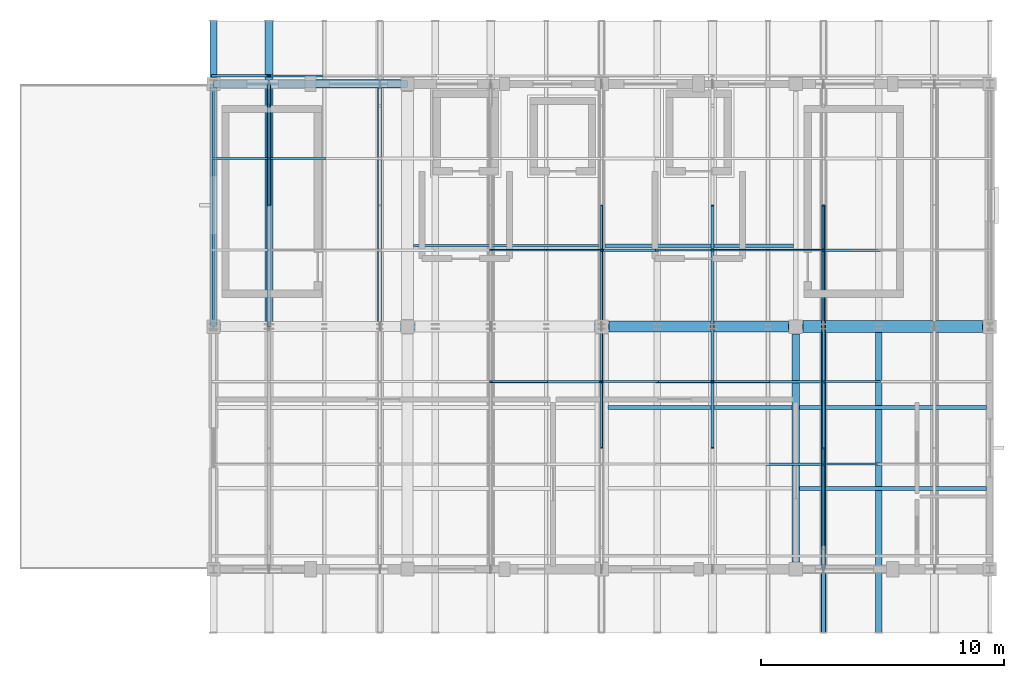
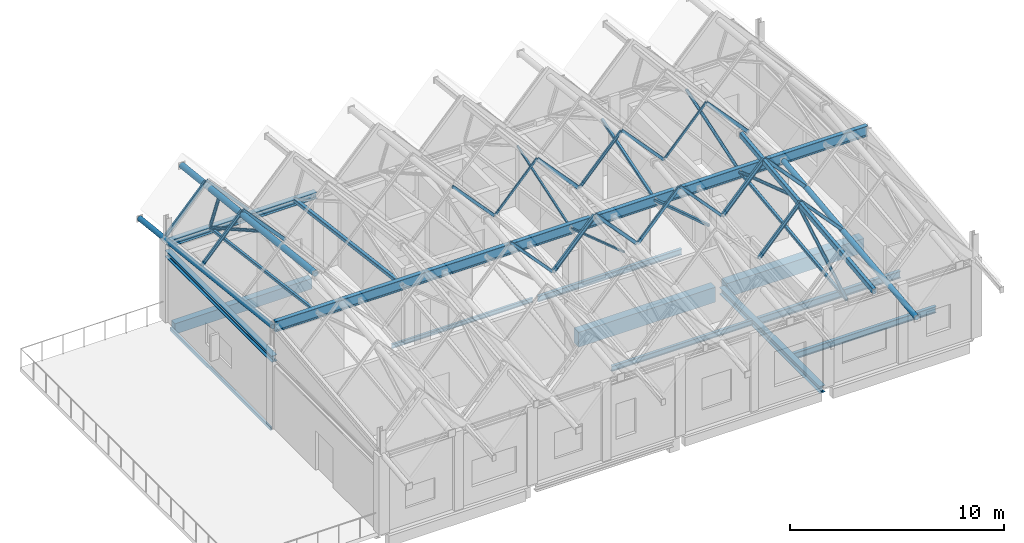
# One storey, part 3 of 15: 32 members, 17 beams.
"""IFC4 building model written with IfcOpenShell, lengths in metres."""

from ifc_helpers import new_model, si_unit, direction, frame, origin, origin_2d, place, context, subcontext, project, spatial, rectangle, hollow_rectangle, hollow_circle, i_section, extrude, material, material_profile, profile_set, type_object, element, save


model = new_model("IFC4")

# Units and contexts
model_context = context("Model", 3, precision=1e-05, world=origin(), true_north=direction((0.0, 1.0)))
body_context = subcontext(model_context, "Body", "Model", "MODEL_VIEW")
ifc_project = project(units=[si_unit("LENGTHUNIT", "METRE"), si_unit("AREAUNIT", "SQUARE_METRE"), si_unit("VOLUMEUNIT", "CUBIC_METRE"), si_unit("PLANEANGLEUNIT", "RADIAN"), si_unit("MASSUNIT", "GRAM", prefix="KILO")], contexts=[model_context])

# Site, building, storey
site_placement = place(None, origin())
site = spatial("IfcSite", under=ifc_project, at=site_placement, CompositionType="ELEMENT")
building_placement = place(site_placement, origin())
building = spatial("IfcBuilding", under=site, at=building_placement, Name="Luwemba Playhouse", CompositionType="ELEMENT")
storey_placement = place(building_placement, frame((0.0, 0.0, 22.800048828125)))
storey = spatial("IfcBuildingStorey", under=building, at=storey_placement, Name="L05", CompositionType="ELEMENT", Elevation=22.800048828125)

# Beams
ifc_material_1 = material(Name="Concrete C40/50", Category="concrete")
ifc_material_profile_1 = material_profile(ifc_material_1, rectangle(XDim=0.449951171875, YDim=0.85009765625, at=origin_2d()))
ifc_profile_set_1 = profile_set([ifc_material_profile_1], Name="Concrete C40/50")
beam_type_1 = type_object("IfcBeamType", Name="BM-RB05", PredefinedType="BEAM", material=ifc_profile_set_1)
beam_1_placement = place(storey_placement, frame((156.300048828125, 105.0, -0.72509765625), z_axis=(1.0, 0.0, 0.0), x_axis=(0.0, 1.0, 0.0)))
element("IfcBeam", 1, at=beam_1_placement, inside=storey, type_object=beam_type_1, Name="L05 grid girder 0948", PredefinedType="BEAM", context=body_context, shape_type="SweptSolid", body=[
    extrude(rectangle(XDim=0.449951171875, YDim=0.85009765625, at=origin_2d()), origin(), (0.0, 0.0, 1.0), 7.39990234375),
])
ifc_material_profile_2 = material_profile(ifc_material_1, rectangle(XDim=0.5, YDim=0.800048828125, at=origin_2d()))
ifc_profile_set_2 = profile_set([ifc_material_profile_2], Name="Concrete C40/50")
beam_type_2 = type_object("IfcBeamType", Name="BM-RB06", PredefinedType="BEAM", material=ifc_profile_set_2)
beam_2_placement = place(storey_placement, frame((164.300048828125, 105.0, -0.699951171875), z_axis=(1.0, 0.0, 0.0), x_axis=(0.0, 1.0, 0.0)))
element("IfcBeam", 2, at=beam_2_placement, inside=storey, type_object=beam_type_2, Name="L05 grid girder 0949", PredefinedType="BEAM", context=body_context, shape_type="SweptSolid", body=[
    extrude(rectangle(XDim=0.5, YDim=0.800048828125, at=origin_2d()), origin(), (0.0, 0.0, 1.0), 7.39990234375),
])
ifc_material_2 = material(Name="Steel S355", Category="steel")
ifc_material_profile_3 = material_profile(ifc_material_2, hollow_rectangle(XDim=0.199951171875, YDim=0.300048828125, WallThickness=0.012451171875, InnerFilletRadius=0.018798828125, OuterFilletRadius=0.03125, at=origin_2d()))
ifc_profile_set_3 = profile_set([ifc_material_profile_3], Name="Steel S355")
beam_type_3 = type_object("IfcBeamType", Name="BM-RTG2", PredefinedType="USERDEFINED", material=ifc_profile_set_3)
beam_3_placement = place(storey_placement, frame((165.142822265625, 92.39990234375, 6.448486328125), z_axis=(0.0, 0.993768782613, 0.111461234087), x_axis=(-1.0, 0.0, 0.0)))
element("IfcBeam", 3, at=beam_3_placement, inside=storey, type_object=beam_type_3, Name="ROOF TRUSS ridge girder 0432", ObjectType="ROOF TRUSS", PredefinedType="USERDEFINED", context=body_context, shape_type="SweptSolid", body=[
    extrude(hollow_rectangle(XDim=0.199951171875, YDim=0.300048828125, WallThickness=0.012451171875, InnerFilletRadius=0.018798828125, OuterFilletRadius=0.03125, at=origin_2d()), origin(), (0.0, 0.0, 1.0), 12.568359375),
])
ifc_material_profile_4 = material_profile(ifc_material_2, hollow_circle(Radius=0.136474609375, WallThickness=0.012451171875, at=origin_2d()))
ifc_profile_set_4 = profile_set([ifc_material_profile_4], Name="Steel S355")
beam_type_4 = type_object("IfcBeamType", Name="BM-RTG3", PredefinedType="USERDEFINED", material=ifc_profile_set_4)
for number, where, z_axis, x_axis, name in (
    (4, (140.0, 105.110107421875, 5.546630859375), (0.0, 0.993766630778, -0.111480417796), (-1.0, 0.0, 0.0), "ROOF TRUSS valley girder 0411"),
    (5, (167.4287109375, 92.39990234375, 4.1455078125), (0.0, 0.993766630778, 0.111480417796), (-1.0, 0.0, 0.0), "ROOF TRUSS valley girder 0434"),
):
    element("IfcBeam", number, at=place(storey_placement, frame(where, z_axis=z_axis, x_axis=x_axis)), inside=storey, type_object=beam_type_4, Name=name, ObjectType="ROOF TRUSS", PredefinedType="USERDEFINED", context=body_context, shape_type="SweptSolid", body=[
        extrude(hollow_circle(Radius=0.136474609375, WallThickness=0.012451171875, at=origin_2d()), origin(), (0.0, 0.0, 1.0), 12.568359375),
    ])
ifc_material_profile_5 = material_profile(ifc_material_2, hollow_circle(Radius=0.161865234375, WallThickness=0.01611328125, at=origin_2d()))
ifc_profile_set_5 = profile_set([ifc_material_profile_5], Name="Steel S355")
beam_type_5 = type_object("IfcBeamType", Name="BM-RTG4", PredefinedType="USERDEFINED", material=ifc_profile_set_5)
beam_4_placement = place(storey_placement, frame((142.28564453125, 105.110107421875, 7.7705078125), z_axis=(0.0, 0.993766630778, -0.111480417796), x_axis=(-1.0, 0.0, 0.0)))
element("IfcBeam", 6, at=beam_4_placement, inside=storey, type_object=beam_type_5, Name="ROOF TRUSS ridge girder 0413", ObjectType="ROOF TRUSS", PredefinedType="USERDEFINED", context=body_context, shape_type="SweptSolid", body=[
    extrude(hollow_circle(Radius=0.161865234375, WallThickness=0.01611328125, at=origin_2d()), origin(), (0.0, 0.0, 1.0), 12.568359375),
])
ifc_material_profile_6 = material_profile(ifc_material_2, i_section(OverallWidth=0.300048828125, OverallDepth=0.389892578125, WebThickness=0.010986328125, FlangeThickness=0.01904296875, FilletRadius=0.027099609375, at=origin_2d()))
ifc_profile_set_6 = profile_set([ifc_material_profile_6], Name="Steel S355")
beam_type_6 = type_object("IfcBeamType", Name="BM-SB05", PredefinedType="BEAM", material=ifc_profile_set_6)
beam_5_placement = place(storey_placement, frame((164.0, 95.300048828125, -0.4951171875), z_axis=(0.0, 1.0, 0.0), x_axis=(-1.0, 0.0, 0.0)))
element("IfcBeam", 7, at=beam_5_placement, inside=storey, type_object=beam_type_6, Name="L05 transverse girder 0960", PredefinedType="BEAM", context=body_context, shape_type="SweptSolid", body=[
    extrude(i_section(OverallWidth=0.300048828125, OverallDepth=0.389892578125, WebThickness=0.010986328125, FlangeThickness=0.01904296875, FilletRadius=0.027099609375, at=origin_2d()), origin(), (0.0, 0.0, 1.0), 9.39990234375),
])
ifc_material_profile_7 = material_profile(ifc_material_2, i_section(OverallWidth=0.219970703125, OverallDepth=0.60009765625, WebThickness=0.011962890625, FlangeThickness=0.01904296875, FilletRadius=0.02392578125, at=origin_2d()))
ifc_profile_set_7 = profile_set([ifc_material_profile_7], Name="Steel S355")
beam_type_7 = type_object("IfcBeamType", Name="BM-SB08", PredefinedType="BEAM", material=ifc_profile_set_7)
beam_6_placement = place(storey_placement, frame((140.0, 105.0, 5.6416015625), z_axis=(1.0, 0.0, 0.0), x_axis=(0.0, 1.0, 0.0)))
element("IfcBeam", 8, at=beam_6_placement, inside=storey, type_object=beam_type_7, Name="RF-V6E central ridge spine girder 0409", PredefinedType="BEAM", context=body_context, shape_type="SweptSolid", body=[
    extrude(i_section(OverallWidth=0.219970703125, OverallDepth=0.60009765625, WebThickness=0.011962890625, FlangeThickness=0.01904296875, FilletRadius=0.02392578125, at=origin_2d()), origin(), (0.0, 0.0, 1.0), 32.0),
])
ifc_material_profile_8 = material_profile(ifc_material_2, i_section(OverallWidth=0.300048828125, OverallDepth=0.360107421875, WebThickness=0.012451171875, FlangeThickness=0.0224609375, FilletRadius=0.027099609375, at=origin_2d()))
ifc_profile_set_8 = profile_set([ifc_material_profile_8], Name="Steel S355")
beam_type_8 = type_object("IfcBeamType", Name="BM-SB09", PredefinedType="BEAM", material=ifc_profile_set_8)
beam_7_placement = place(storey_placement, frame((140.0, 115.0, 4.320068359375), z_axis=(1.0, 0.0, 0.0), x_axis=(0.0, 1.0, 0.0)))
element("IfcBeam", 9, at=beam_7_placement, inside=storey, type_object=beam_type_8, Name="RF-V6E eave ring beam 0399", PredefinedType="BEAM", context=body_context, shape_type="SweptSolid", body=[
    extrude(i_section(OverallWidth=0.300048828125, OverallDepth=0.360107421875, WebThickness=0.012451171875, FlangeThickness=0.0224609375, FilletRadius=0.027099609375, at=origin_2d()), origin(), (0.0, 0.0, 1.0), 8.0),
])
beam_8_placement = place(storey_placement, frame((140.0, 105.0, 3.780029296875), z_axis=(0.0, 1.0, 0.0), x_axis=(-1.0, 0.0, 0.0)))
element("IfcBeam", 10, at=beam_8_placement, inside=storey, type_object=beam_type_8, Name="RF-V6E gable ring beam 0404", PredefinedType="BEAM", context=body_context, shape_type="SweptSolid", body=[
    extrude(i_section(OverallWidth=0.300048828125, OverallDepth=0.360107421875, WebThickness=0.012451171875, FlangeThickness=0.0224609375, FilletRadius=0.027099609375, at=origin_2d()), origin(), (0.0, 0.0, 1.0), 10.0),
])
ifc_material_profile_9 = material_profile(ifc_material_2, i_section(OverallWidth=0.1201171875, OverallDepth=0.239990234375, WebThickness=0.006103515625, FlangeThickness=0.009765625, FilletRadius=0.014892578125, at=origin_2d()))
ifc_profile_set_9 = profile_set([ifc_material_profile_9], Name="Steel S355")
beam_type_9 = type_object("IfcBeamType", Name="BM-SJ03", PredefinedType="JOIST", material=ifc_profile_set_9)
beam_9_placement = place(storey_placement, frame((148.24609375, 108.333251953125, -0.420166015625), z_axis=(1.0, 0.0, 0.0), x_axis=(0.0, 1.0, 0.0)))
element("IfcBeam", 11, at=beam_9_placement, inside=storey, type_object=beam_type_9, Name="L05 composite floor joist 0540", PredefinedType="JOIST", context=body_context, shape_type="SweptSolid", body=[
    extrude(i_section(OverallWidth=0.1201171875, OverallDepth=0.239990234375, WebThickness=0.006103515625, FlangeThickness=0.009765625, FilletRadius=0.014892578125, at=origin_2d()), origin(), (0.0, 0.0, 1.0), 7.617919921875),
])
ifc_material_profile_10 = material_profile(ifc_material_2, i_section(OverallWidth=0.14990234375, OverallDepth=0.300048828125, WebThickness=0.007080078125, FlangeThickness=0.0107421875, FilletRadius=0.014892578125, at=origin_2d()))
ifc_profile_set_10 = profile_set([ifc_material_profile_10], Name="Steel S355")
beam_type_10 = type_object("IfcBeamType", Name="BM-SJ05", PredefinedType="JOIST", material=ifc_profile_set_10)
beam_10_placement = place(storey_placement, frame((156.27099609375, 101.666748046875, -0.449951171875), z_axis=(1.0, 0.0, 0.0), x_axis=(0.0, 1.0, 0.0)))
element("IfcBeam", 12, at=beam_10_placement, inside=storey, type_object=beam_type_10, Name="L05 composite floor joist 0542", PredefinedType="JOIST", context=body_context, shape_type="SweptSolid", body=[
    extrude(i_section(OverallWidth=0.14990234375, OverallDepth=0.300048828125, WebThickness=0.007080078125, FlangeThickness=0.0107421875, FilletRadius=0.014892578125, at=origin_2d()), origin(), (0.0, 0.0, 1.0), 7.5830078125),
])
ifc_material_profile_11 = material_profile(ifc_material_2, i_section(OverallWidth=0.159912109375, OverallDepth=0.330078125, WebThickness=0.007568359375, FlangeThickness=0.011474609375, FilletRadius=0.01806640625, at=origin_2d()))
ifc_profile_set_11 = profile_set([ifc_material_profile_11], Name="Steel S355")
beam_type_11 = type_object("IfcBeamType", Name="BM-SJ06", PredefinedType="JOIST", material=ifc_profile_set_11)
beam_11_placement = place(storey_placement, frame((156.135986328125, 108.333251953125, -0.465087890625), z_axis=(1.0, 0.0, 0.0), x_axis=(0.0, 1.0, 0.0)))
element("IfcBeam", 13, at=beam_11_placement, inside=storey, type_object=beam_type_11, Name="L05 composite floor joist 0543", PredefinedType="JOIST", context=body_context, shape_type="SweptSolid", body=[
    extrude(i_section(OverallWidth=0.159912109375, OverallDepth=0.330078125, WebThickness=0.007568359375, FlangeThickness=0.011474609375, FilletRadius=0.01806640625, at=origin_2d()), origin(), (0.0, 0.0, 1.0), 7.77294921875),
])
ifc_material_profile_12 = material_profile(ifc_material_2, i_section(OverallWidth=0.169921875, OverallDepth=0.360107421875, WebThickness=0.008056640625, FlangeThickness=0.0126953125, FilletRadius=0.01806640625, at=origin_2d()))
ifc_profile_set_12 = profile_set([ifc_material_profile_12], Name="Steel S355")
beam_type_12 = type_object("IfcBeamType", Name="BM-SJ07", PredefinedType="JOIST", material=ifc_profile_set_12)
beam_12_placement = place(storey_placement, frame((164.14599609375, 98.333251953125, -0.47998046875), z_axis=(1.0, 0.0, 0.0), x_axis=(0.0, 1.0, 0.0)))
element("IfcBeam", 14, at=beam_12_placement, inside=storey, type_object=beam_type_12, Name="L05 composite floor joist 0544", PredefinedType="JOIST", context=body_context, shape_type="SweptSolid", body=[
    extrude(i_section(OverallWidth=0.169921875, OverallDepth=0.360107421875, WebThickness=0.008056640625, FlangeThickness=0.0126953125, FilletRadius=0.01806640625, at=origin_2d()), origin(), (0.0, 0.0, 1.0), 7.7080078125),
])
ifc_material_profile_13 = material_profile(ifc_material_2, i_section(OverallWidth=0.179931640625, OverallDepth=0.39990234375, WebThickness=0.008544921875, FlangeThickness=0.013427734375, FilletRadius=0.02099609375, at=origin_2d()))
ifc_profile_set_13 = profile_set([ifc_material_profile_13], Name="Steel S355")
beam_type_13 = type_object("IfcBeamType", Name="BM-SJ08", PredefinedType="JOIST", material=ifc_profile_set_13)
beam_13_placement = place(storey_placement, frame((164.14599609375, 101.666748046875, -0.5), z_axis=(1.0, 0.0, 0.0), x_axis=(0.0, 1.0, 0.0)))
element("IfcBeam", 15, at=beam_13_placement, inside=storey, type_object=beam_type_13, Name="L05 composite floor joist 0545", PredefinedType="JOIST", context=body_context, shape_type="SweptSolid", body=[
    extrude(i_section(OverallWidth=0.179931640625, OverallDepth=0.39990234375, WebThickness=0.008544921875, FlangeThickness=0.013427734375, FilletRadius=0.02099609375, at=origin_2d()), origin(), (0.0, 0.0, 1.0), 7.7080078125),
])
ifc_material_profile_14 = material_profile(ifc_material_1, rectangle(XDim=0.35009765625, YDim=0.60009765625, at=origin_2d()))
ifc_profile_set_14 = profile_set([ifc_material_profile_14], Name="Concrete C40/50")
beam_type_14 = type_object("IfcBeamType", Name="BM-SP3", PredefinedType="SPANDREL", material=ifc_profile_set_14)
beam_14_placement = place(storey_placement, frame((140.300048828125, 115.0, -0.60009765625), z_axis=(1.0, 0.0, 0.0), x_axis=(0.0, 1.0, 0.0)))
element("IfcBeam", 16, at=beam_14_placement, inside=storey, type_object=beam_type_14, Name="L05 grid girder 0950", PredefinedType="SPANDREL", context=body_context, shape_type="SweptSolid", body=[
    extrude(rectangle(XDim=0.35009765625, YDim=0.60009765625, at=origin_2d()), origin(), (0.0, 0.0, 1.0), 7.39990234375),
])
ifc_material_profile_15 = material_profile(ifc_material_2, hollow_rectangle(XDim=0.10009765625, YDim=0.199951171875, WallThickness=0.008056640625, InnerFilletRadius=0.011962890625, OuterFilletRadius=0.02001953125, at=origin_2d()))
ifc_profile_set_15 = profile_set([ifc_material_profile_15], Name="Steel S355")
beam_type_15 = type_object("IfcBeamType", Name="BM-SSP2", PredefinedType="SPANDREL", material=ifc_profile_set_15)
beam_15_placement = place(storey_placement, frame((140.0, 105.300048828125, -0.400146484375), z_axis=(0.0, 1.0, 0.0), x_axis=(-1.0, 0.0, 0.0)))
element("IfcBeam", 17, at=beam_15_placement, inside=storey, type_object=beam_type_15, Name="L05 transverse girder 0955", PredefinedType="SPANDREL", context=body_context, shape_type="SweptSolid", body=[
    extrude(hollow_rectangle(XDim=0.10009765625, YDim=0.199951171875, WallThickness=0.008056640625, InnerFilletRadius=0.011962890625, OuterFilletRadius=0.02001953125, at=origin_2d()), origin(), (0.0, 0.0, 1.0), 9.39990234375),
])

# Members
ifc_material_profile_16 = material_profile(ifc_material_2, hollow_circle(Radius=0.084228515625, WallThickness=0.008056640625, at=origin_2d()))
ifc_profile_set_16 = profile_set([ifc_material_profile_16], Name="Steel S355")
member_type_1 = type_object("IfcMemberType", Name="MEM-MB02", PredefinedType="BRACE", material=ifc_profile_set_16)
member_1_placement = place(storey_placement, frame((142.28564453125, 115.0, 4.39990234375), z_axis=(0.0, -0.870865998229, 0.491520511403), x_axis=(1.0, 0.0, 0.0)))
element("IfcMember", 18, at=member_1_placement, inside=storey, type_object=member_type_1, Name="ROOF TRUSS web diagonal 0354", PredefinedType="BRACE", context=body_context, shape_type="SweptSolid", body=[
    extrude(hollow_circle(Radius=0.084228515625, WallThickness=0.008056640625, at=origin_2d()), origin(), (0.0, 0.0, 1.0), 5.741455078125),
])
member_2_placement = place(storey_placement, frame((142.28564453125, 115.0, 4.39990234375), z_axis=(0.0, -0.356019426391, 0.934478554078), x_axis=(1.0, 0.0, 0.0)))
element("IfcMember", 19, at=member_2_placement, inside=storey, type_object=member_type_1, Name="ROOF TRUSS eave knee strut 0101", PredefinedType="BRACE", context=body_context, shape_type="SweptSolid", body=[
    extrude(hollow_circle(Radius=0.084228515625, WallThickness=0.008056640625, at=origin_2d()), origin(), (0.0, 0.0, 1.0), 2.527587890625),
])
member_3_placement = place(storey_placement, frame((165.142822265625, 95.0, 4.39990234375), z_axis=(0.0, 0.864946861272, 0.501863454712), x_axis=(-1.0, 0.0, 0.0)))
element("IfcMember", 20, at=member_3_placement, inside=storey, type_object=member_type_1, Name="ROOF TRUSS web diagonal 0381", PredefinedType="BRACE", context=body_context, shape_type="SweptSolid", body=[
    extrude(hollow_circle(Radius=0.084228515625, WallThickness=0.008056640625, at=origin_2d()), origin(), (0.0, 0.0, 1.0), 5.78076171875),
])
for number, where, z_axis, x_axis, name in (
    (21, (165.142822265625, 105.0, 5.6416015625), (0.0, -0.949094939614, 0.31499015159), (1.0, 0.0, 0.0), "ROOF TRUSS web diagonal 0382"),
    (22, (165.142822265625, 105.0, 5.6416015625), (0.0, 0.949094939614, 0.31499015159), (-1.0, 0.0, 0.0), "ROOF TRUSS web diagonal 0383"),
):
    element("IfcMember", number, at=place(storey_placement, frame(where, z_axis=z_axis, x_axis=x_axis)), inside=storey, type_object=member_type_1, Name=name, PredefinedType="BRACE", context=body_context, shape_type="SweptSolid", body=[
        extrude(hollow_circle(Radius=0.084228515625, WallThickness=0.008056640625, at=origin_2d()), origin(), (0.0, 0.0, 1.0), 5.26806640625),
    ])
ifc_material_profile_17 = material_profile(ifc_material_2, hollow_rectangle(XDim=0.10009765625, YDim=0.10009765625, WallThickness=0.00634765625, InnerFilletRadius=0.009521484375, OuterFilletRadius=0.015869140625, at=origin_2d()))
ifc_profile_set_17 = profile_set([ifc_material_profile_17], Name="Steel S355")
member_type_2 = type_object("IfcMemberType", Name="MEM-MB05", PredefinedType="BRACE", material=ifc_profile_set_17)
for number, where, z_axis, x_axis, name in (
    (23, (156.0, 105.0, 5.6416015625), (0.0, -0.949094939614, 0.31499015159), (1.0, 0.0, 0.0), "ROOF TRUSS web diagonal 0370"),
    (24, (156.0, 105.0, 5.6416015625), (0.0, 0.949094939614, 0.31499015159), (-1.0, 0.0, 0.0), "ROOF TRUSS web diagonal 0371"),
):
    element("IfcMember", number, at=place(storey_placement, frame(where, z_axis=z_axis, x_axis=x_axis)), inside=storey, type_object=member_type_2, Name=name, PredefinedType="BRACE", context=body_context, shape_type="SweptSolid", body=[
        extrude(hollow_rectangle(XDim=0.10009765625, YDim=0.10009765625, WallThickness=0.00634765625, InnerFilletRadius=0.009521484375, OuterFilletRadius=0.015869140625, at=origin_2d()), origin(), (0.0, 0.0, 1.0), 5.26806640625),
    ])
ifc_material_profile_18 = material_profile(ifc_material_2, hollow_rectangle(XDim=0.139892578125, YDim=0.139892578125, WallThickness=0.008056640625, InnerFilletRadius=0.011962890625, OuterFilletRadius=0.02001953125, at=origin_2d()))
ifc_profile_set_18 = profile_set([ifc_material_profile_18], Name="Steel S355")
member_type_3 = type_object("IfcMemberType", Name="MEM-MB07", PredefinedType="BRACE", material=ifc_profile_set_18)
for number, where, z_axis, x_axis, name in (
    (25, (160.5712890625, 105.0, 5.6416015625), (0.0, -0.953507345101, 0.30136977758), (1.0, 0.0, 0.0), "ROOF TRUSS web diagonal 0376"),
    (26, (160.5712890625, 105.0, 5.6416015625), (0.0, 0.953507345101, 0.30136977758), (-1.0, 0.0, 0.0), "ROOF TRUSS web diagonal 0377"),
):
    element("IfcMember", number, at=place(storey_placement, frame(where, z_axis=z_axis, x_axis=x_axis)), inside=storey, type_object=member_type_3, Name=name, PredefinedType="BRACE", context=body_context, shape_type="SweptSolid", body=[
        extrude(hollow_rectangle(XDim=0.139892578125, YDim=0.139892578125, WallThickness=0.008056640625, InnerFilletRadius=0.011962890625, OuterFilletRadius=0.02001953125, at=origin_2d()), origin(), (0.0, 0.0, 1.0), 5.243896484375),
    ])
ifc_material_profile_19 = material_profile(ifc_material_2, hollow_rectangle(XDim=0.14990234375, YDim=0.14990234375, WallThickness=0.010009765625, InnerFilletRadius=0.014892578125, OuterFilletRadius=0.02490234375, at=origin_2d()))
ifc_profile_set_19 = profile_set([ifc_material_profile_19], Name="Steel S355")
member_type_4 = type_object("IfcMemberType", Name="MEM-MC02", PredefinedType="CHORD", material=ifc_profile_set_19)
for number, where, z_axis, x_axis, name in (
    (27, (142.28564453125, 105.0, 5.6416015625), (0.0, 0.992378930096, -0.12322361422), (-1.0, 0.0, 0.0), "ROOF TRUSS north bottom chord 0350"),
    (28, (165.142822265625, 95.0, 4.39990234375), (0.0, 0.992378930096, 0.12322361422), (-1.0, 0.0, 0.0), "ROOF TRUSS south bottom chord 0379"),
):
    element("IfcMember", number, at=place(storey_placement, frame(where, z_axis=z_axis, x_axis=x_axis)), inside=storey, type_object=member_type_4, Name=name, PredefinedType="CHORD", context=body_context, shape_type="SweptSolid", body=[
        extrude(hollow_rectangle(XDim=0.14990234375, YDim=0.14990234375, WallThickness=0.010009765625, InnerFilletRadius=0.014892578125, OuterFilletRadius=0.02490234375, at=origin_2d()), origin(), (0.0, 0.0, 1.0), 10.076904296875),
    ])
ifc_material_profile_20 = material_profile(ifc_material_2, hollow_rectangle(XDim=0.199951171875, YDim=0.199951171875, WallThickness=0.012451171875, InnerFilletRadius=0.018798828125, OuterFilletRadius=0.03125, at=origin_2d()))
ifc_profile_set_20 = profile_set([ifc_material_profile_20], Name="Steel S355")
member_type_5 = type_object("IfcMemberType", Name="MEM-MC04", PredefinedType="CHORD", material=ifc_profile_set_20)
member_4_placement = place(storey_placement, frame((146.857177734375, 105.0, 5.6416015625), z_axis=(0.0, 0.992378930096, -0.12322361422), x_axis=(-1.0, 0.0, 0.0)))
element("IfcMember", 29, at=member_4_placement, inside=storey, type_object=member_type_5, Name="ROOF TRUSS north bottom chord 0356", PredefinedType="CHORD", context=body_context, shape_type="SweptSolid", body=[
    extrude(hollow_rectangle(XDim=0.199951171875, YDim=0.199951171875, WallThickness=0.012451171875, InnerFilletRadius=0.018798828125, OuterFilletRadius=0.03125, at=origin_2d()), origin(), (0.0, 0.0, 1.0), 10.076904296875),
])
ifc_material_profile_21 = material_profile(ifc_material_2, hollow_rectangle(XDim=0.080078125, YDim=0.1201171875, WallThickness=0.00634765625, InnerFilletRadius=0.009521484375, OuterFilletRadius=0.015869140625, at=origin_2d()))
ifc_profile_set_21 = profile_set([ifc_material_profile_21], Name="Steel S355")
member_type_6 = type_object("IfcMemberType", Name="MEM-MP01", PredefinedType="PURLIN", material=ifc_profile_set_21)
member_5_placement = place(storey_placement, frame((153.71435546875, 108.14990234375, 5.24365234375), z_axis=(0.677961222164, 0.0, 0.735097667825), x_axis=(0.0, 1.0, 0.0)))
element("IfcMember", 30, at=member_5_placement, inside=storey, type_object=member_type_6, Name="Pleated roof purlin 0736", PredefinedType="PURLIN", context=body_context, shape_type="SweptSolid", body=[
    extrude(hollow_rectangle(XDim=0.080078125, YDim=0.1201171875, WallThickness=0.00634765625, InnerFilletRadius=0.009521484375, OuterFilletRadius=0.015869140625, at=origin_2d()), origin(), (0.0, 0.0, 1.0), 3.371337890625),
])
member_6_placement = place(storey_placement, frame((162.857177734375, 108.14990234375, 5.24365234375), z_axis=(0.677925133331, 0.0, 0.735130949966), x_axis=(0.0, 1.0, 0.0)))
element("IfcMember", 31, at=member_6_placement, inside=storey, type_object=member_type_6, Name="Pleated roof purlin 0760", PredefinedType="PURLIN", context=body_context, shape_type="SweptSolid", body=[
    extrude(hollow_rectangle(XDim=0.080078125, YDim=0.1201171875, WallThickness=0.00634765625, InnerFilletRadius=0.009521484375, OuterFilletRadius=0.015869140625, at=origin_2d()), origin(), (0.0, 0.0, 1.0), 3.37158203125),
])
ifc_material_profile_22 = material_profile(ifc_material_2, hollow_rectangle(XDim=0.10009765625, YDim=0.14990234375, WallThickness=0.008056640625, InnerFilletRadius=0.011962890625, OuterFilletRadius=0.02001953125, at=origin_2d()))
ifc_profile_set_22 = profile_set([ifc_material_profile_22], Name="Steel S355")
member_type_7 = type_object("IfcMemberType", Name="MEM-MP02", PredefinedType="PURLIN", material=ifc_profile_set_22)
for number, where, z_axis, x_axis, name in (
    (32, (151.4287109375, 102.73193359375, 7.795166015625), (0.677925133331, 0.0, -0.735130949966), (0.0, 1.0, 0.0), "Pleated roof purlin 0729"),
    (33, (160.5712890625, 102.73193359375, 7.795166015625), (0.678000350765, 0.0, -0.73506157862), (0.0, 1.0, 0.0), "Pleated roof purlin 0753"),
):
    element("IfcMember", number, at=place(storey_placement, frame(where, z_axis=z_axis, x_axis=x_axis)), inside=storey, type_object=member_type_7, Name=name, PredefinedType="PURLIN", context=body_context, shape_type="SweptSolid", body=[
        extrude(hollow_rectangle(XDim=0.10009765625, YDim=0.14990234375, WallThickness=0.008056640625, InnerFilletRadius=0.011962890625, OuterFilletRadius=0.02001953125, at=origin_2d()), origin(), (0.0, 0.0, 1.0), 3.37158203125),
    ])
ifc_material_profile_23 = material_profile(ifc_material_2, hollow_rectangle(XDim=0.080078125, YDim=0.159912109375, WallThickness=0.00634765625, InnerFilletRadius=0.009521484375, OuterFilletRadius=0.015869140625, at=origin_2d()))
ifc_profile_set_23 = profile_set([ifc_material_profile_23], Name="Steel S355")
member_type_8 = type_object("IfcMemberType", Name="MEM-MP03", PredefinedType="PURLIN", material=ifc_profile_set_23)
member_7_placement = place(storey_placement, frame((151.4287109375, 108.14990234375, 7.701904296875), z_axis=(0.677961222164, 0.0, -0.735097667825), x_axis=(0.0, 1.0, 0.0)))
element("IfcMember", 34, at=member_7_placement, inside=storey, type_object=member_type_8, Name="Pleated roof purlin 0730", PredefinedType="PURLIN", context=body_context, shape_type="SweptSolid", body=[
    extrude(hollow_rectangle(XDim=0.080078125, YDim=0.159912109375, WallThickness=0.00634765625, InnerFilletRadius=0.009521484375, OuterFilletRadius=0.015869140625, at=origin_2d()), origin(), (0.0, 0.0, 1.0), 3.371337890625),
])
member_8_placement = place(storey_placement, frame((160.5712890625, 108.14990234375, 7.7021484375), z_axis=(0.677964263393, 0.0, -0.735094862968), x_axis=(0.0, 1.0, 0.0)))
element("IfcMember", 35, at=member_8_placement, inside=storey, type_object=member_type_8, Name="Pleated roof purlin 0754", PredefinedType="PURLIN", context=body_context, shape_type="SweptSolid", body=[
    extrude(hollow_rectangle(XDim=0.080078125, YDim=0.159912109375, WallThickness=0.00634765625, InnerFilletRadius=0.009521484375, OuterFilletRadius=0.015869140625, at=origin_2d()), origin(), (0.0, 0.0, 1.0), 3.37158203125),
])
ifc_material_profile_24 = material_profile(ifc_material_2, hollow_rectangle(XDim=0.10009765625, YDim=0.179931640625, WallThickness=0.008056640625, InnerFilletRadius=0.011962890625, OuterFilletRadius=0.02001953125, at=origin_2d()))
ifc_profile_set_24 = profile_set([ifc_material_profile_24], Name="Steel S355")
member_type_9 = type_object("IfcMemberType", Name="MEM-MP04", PredefinedType="PURLIN", material=ifc_profile_set_24)
for number, where, z_axis, x_axis, name in (
    (36, (142.28564453125, 111.929931640625, 7.257080078125), (0.677961222164, 0.0, -0.735097667825), (0.0, 1.0, 0.0), "Pleated roof purlin 0707"),
    (37, (158.28564453125, 102.73193359375, 5.3017578125), (0.677961222164, 0.0, 0.735097667825), (0.0, 1.0, 0.0), "Pleated roof purlin 0747"),
):
    element("IfcMember", number, at=place(storey_placement, frame(where, z_axis=z_axis, x_axis=x_axis)), inside=storey, type_object=member_type_9, Name=name, PredefinedType="PURLIN", context=body_context, shape_type="SweptSolid", body=[
        extrude(hollow_rectangle(XDim=0.10009765625, YDim=0.179931640625, WallThickness=0.008056640625, InnerFilletRadius=0.011962890625, OuterFilletRadius=0.02001953125, at=origin_2d()), origin(), (0.0, 0.0, 1.0), 3.371337890625),
    ])
ifc_material_profile_25 = material_profile(ifc_material_2, i_section(OverallWidth=0.08203125, OverallDepth=0.159912109375, WebThickness=0.0048828125, FlangeThickness=0.00732421875, FilletRadius=0.009033203125, at=origin_2d()))
ifc_profile_set_25 = profile_set([ifc_material_profile_25], Name="Steel S355")
member_type_10 = type_object("IfcMemberType", Name="MEM-MP05", PredefinedType="PURLIN", material=ifc_profile_set_25)
for number, where, z_axis, x_axis, name in (
    (38, (142.28564453125, 115.33203125, 6.895263671875), (0.677961222164, 0.0, -0.735097667825), (0.0, 1.0, 0.0), "Pleated roof purlin 0708"),
    (39, (158.28564453125, 108.14990234375, 5.22265625), (0.677961222164, 0.0, 0.735097667825), (0.0, 1.0, 0.0), "Pleated roof purlin 0748"),
):
    element("IfcMember", number, at=place(storey_placement, frame(where, z_axis=z_axis, x_axis=x_axis)), inside=storey, type_object=member_type_10, Name=name, PredefinedType="PURLIN", context=body_context, shape_type="SweptSolid", body=[
        extrude(i_section(OverallWidth=0.08203125, OverallDepth=0.159912109375, WebThickness=0.0048828125, FlangeThickness=0.00732421875, FilletRadius=0.009033203125, at=origin_2d()), origin(), (0.0, 0.0, 1.0), 3.371337890625),
    ])
member_9_placement = place(storey_placement, frame((165.142822265625, 99.330078125, 7.418212890625), z_axis=(0.678000350765, 0.0, -0.73506157862), x_axis=(0.0, 1.0, 0.0)))
element("IfcMember", 40, at=member_9_placement, inside=storey, type_object=member_type_10, Name="Pleated roof purlin 0764", PredefinedType="PURLIN", context=body_context, shape_type="SweptSolid", body=[
    extrude(i_section(OverallWidth=0.08203125, OverallDepth=0.159912109375, WebThickness=0.0048828125, FlangeThickness=0.00732421875, FilletRadius=0.009033203125, at=origin_2d()), origin(), (0.0, 0.0, 1.0), 3.37158203125),
])
ifc_material_profile_26 = material_profile(ifc_material_2, i_section(OverallWidth=0.091064453125, OverallDepth=0.179931640625, WebThickness=0.00537109375, FlangeThickness=0.008056640625, FilletRadius=0.009033203125, at=origin_2d()))
ifc_profile_set_26 = profile_set([ifc_material_profile_26], Name="Steel S355")
member_type_11 = type_object("IfcMemberType", Name="MEM-MP06", PredefinedType="PURLIN", material=ifc_profile_set_26)
for number, where, z_axis, x_axis, name in (
    (41, (140.0, 111.929931640625, 4.78369140625), (0.677961222164, 0.0, 0.735097667825), (0.0, 1.0, 0.0), "Pleated roof purlin 0701"),
    (42, (156.0, 102.73193359375, 7.784912109375), (0.677961222164, 0.0, -0.735097667825), (0.0, 1.0, 0.0), "Pleated roof purlin 0741"),
):
    element("IfcMember", number, at=place(storey_placement, frame(where, z_axis=z_axis, x_axis=x_axis)), inside=storey, type_object=member_type_11, Name=name, PredefinedType="PURLIN", context=body_context, shape_type="SweptSolid", body=[
        extrude(i_section(OverallWidth=0.091064453125, OverallDepth=0.179931640625, WebThickness=0.00537109375, FlangeThickness=0.008056640625, FilletRadius=0.009033203125, at=origin_2d()), origin(), (0.0, 0.0, 1.0), 3.371337890625),
    ])
member_10_placement = place(storey_placement, frame((165.142822265625, 102.73193359375, 7.784912109375), z_axis=(0.678000350765, 0.0, -0.73506157862), x_axis=(0.0, 1.0, 0.0)))
element("IfcMember", 43, at=member_10_placement, inside=storey, type_object=member_type_11, Name="Pleated roof purlin 0765", PredefinedType="PURLIN", context=body_context, shape_type="SweptSolid", body=[
    extrude(i_section(OverallWidth=0.091064453125, OverallDepth=0.179931640625, WebThickness=0.00537109375, FlangeThickness=0.008056640625, FilletRadius=0.009033203125, at=origin_2d()), origin(), (0.0, 0.0, 1.0), 3.37158203125),
])
ifc_material_profile_27 = material_profile(ifc_material_2, i_section(OverallWidth=0.10009765625, OverallDepth=0.199951171875, WebThickness=0.005615234375, FlangeThickness=0.008544921875, FilletRadius=0.011962890625, at=origin_2d()))
ifc_profile_set_27 = profile_set([ifc_material_profile_27], Name="Steel S355")
member_type_12 = type_object("IfcMemberType", Name="MEM-MP07", PredefinedType="PURLIN", material=ifc_profile_set_27)
for number, where, z_axis, x_axis, name in (
    (44, (140.0, 115.33203125, 4.38720703125), (0.677961222164, 0.0, 0.735097667825), (0.0, 1.0, 0.0), "Pleated roof purlin 0702"),
    (45, (156.0, 108.14990234375, 7.671142578125), (0.677961222164, 0.0, -0.735097667825), (0.0, 1.0, 0.0), "Pleated roof purlin 0742"),
):
    element("IfcMember", number, at=place(storey_placement, frame(where, z_axis=z_axis, x_axis=x_axis)), inside=storey, type_object=member_type_12, Name=name, PredefinedType="PURLIN", context=body_context, shape_type="SweptSolid", body=[
        extrude(i_section(OverallWidth=0.10009765625, OverallDepth=0.199951171875, WebThickness=0.005615234375, FlangeThickness=0.008544921875, FilletRadius=0.011962890625, at=origin_2d()), origin(), (0.0, 0.0, 1.0), 3.371337890625),
    ])
for number, where, z_axis, x_axis, name in (
    (46, (162.857177734375, 99.330078125, 4.91015625), (0.677925133331, 0.0, 0.735130949966), (0.0, 1.0, 0.0), "Pleated roof purlin 0758"),
    (47, (165.142822265625, 108.14990234375, 7.671142578125), (0.678000350765, 0.0, -0.73506157862), (0.0, 1.0, 0.0), "Pleated roof purlin 0766"),
):
    element("IfcMember", number, at=place(storey_placement, frame(where, z_axis=z_axis, x_axis=x_axis)), inside=storey, type_object=member_type_12, Name=name, PredefinedType="PURLIN", context=body_context, shape_type="SweptSolid", body=[
        extrude(i_section(OverallWidth=0.10009765625, OverallDepth=0.199951171875, WebThickness=0.005615234375, FlangeThickness=0.008544921875, FilletRadius=0.011962890625, at=origin_2d()), origin(), (0.0, 0.0, 1.0), 3.37158203125),
    ])
ifc_material_profile_28 = material_profile(ifc_material_2, i_section(OverallWidth=0.110107421875, OverallDepth=0.219970703125, WebThickness=0.005859375, FlangeThickness=0.00927734375, FilletRadius=0.011962890625, at=origin_2d()))
ifc_profile_set_28 = profile_set([ifc_material_profile_28], Name="Steel S355")
member_type_13 = type_object("IfcMemberType", Name="MEM-MP08", PredefinedType="PURLIN", material=ifc_profile_set_28)
for number, where, z_axis, x_axis, name in (
    (48, (153.71435546875, 102.73193359375, 5.2763671875), (0.677961222164, 0.0, 0.735097667825), (0.0, 1.0, 0.0), "Pleated roof purlin 0735"),
    (49, (162.857177734375, 102.73193359375, 5.2763671875), (0.677961222164, 0.0, 0.735097667825), (0.0, 1.0, 0.0), "Pleated roof purlin 0759"),
):
    element("IfcMember", number, at=place(storey_placement, frame(where, z_axis=z_axis, x_axis=x_axis)), inside=storey, type_object=member_type_13, Name=name, PredefinedType="PURLIN", context=body_context, shape_type="SweptSolid", body=[
        extrude(i_section(OverallWidth=0.110107421875, OverallDepth=0.219970703125, WebThickness=0.005859375, FlangeThickness=0.00927734375, FilletRadius=0.011962890625, at=origin_2d()), origin(), (0.0, 0.0, 1.0), 3.371337890625),
    ])

save(model, "model.ifc")
